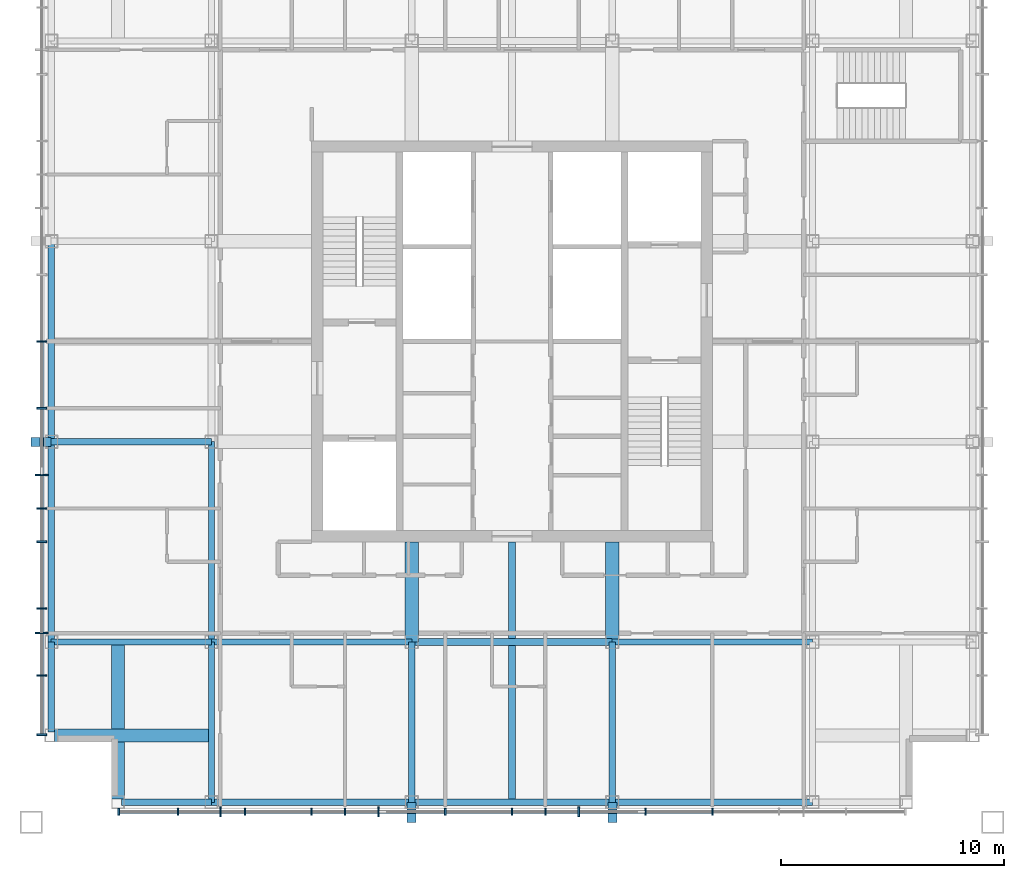
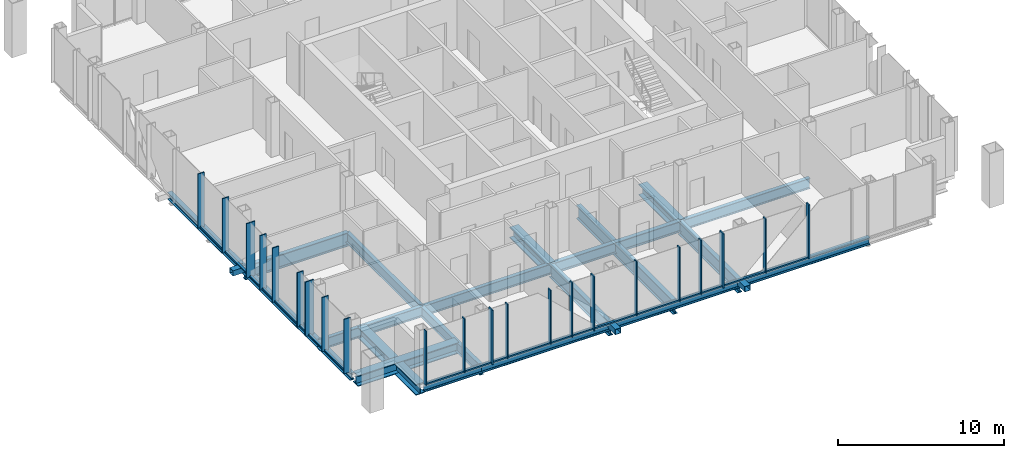
# One storey, part 2 of 13: 45 members, 21 beams, 2 elements without a shape of their own.
"""IFC4 building model written with IfcOpenShell, lengths in metres."""

from ifc_helpers import new_model, si_unit, direction, frame, origin, origin_2d, place, context, subcontext, project, spatial, rectangle, hollow_rectangle, i_section, extrude, material, layer, layer_set, material_profile, profile_set, type_object, element, aggregate, save


model = new_model("IFC4")

# Units and contexts
model_context = context("Model", 3, precision=1e-05, world=origin(), true_north=direction((0.0, 1.0)))
body_context = subcontext(model_context, "Body", "Model", "MODEL_VIEW")
ifc_project = project(units=[si_unit("LENGTHUNIT", "METRE"), si_unit("AREAUNIT", "SQUARE_METRE"), si_unit("VOLUMEUNIT", "CUBIC_METRE"), si_unit("PLANEANGLEUNIT", "RADIAN"), si_unit("MASSUNIT", "GRAM", prefix="KILO")], contexts=[model_context])

# Site, building, storey
site_placement = place(None, origin())
site = spatial("IfcSite", under=ifc_project, at=site_placement, CompositionType="ELEMENT")
building_placement = place(site_placement, origin())
building = spatial("IfcBuilding", under=site, at=building_placement, Name="Malebo Sky Hospital", CompositionType="ELEMENT")
storey_placement = place(building_placement, frame((0.0, 0.0, 274.0)))
storey = spatial("IfcBuildingStorey", under=building, at=storey_placement, Name="L66", CompositionType="ELEMENT", Elevation=274.0)

# Curtain wall, members
ifc_material_1 = material(Name="Anodised aluminium, natural silver", Category="aluminium")
ifc_layer_1 = layer(ifc_material_1, 0.25)
ifc_layer_set_1 = layer_set([ifc_layer_1], Name="WARD CURTAIN WALL EAST AND WEST")
curtain_wall_type_1 = type_object("IfcCurtainWallType", Name="WARD CURTAIN WALL EAST AND WEST", PredefinedType="NOTDEFINED", material=ifc_layer_set_1)
curtain_wall_1_placement = place(storey_placement, origin())
curtain_wall_1 = element("IfcCurtainWall", 1, at=curtain_wall_1_placement, inside=storey, type_object=curtain_wall_type_1, Name="EW curtain wall W", PredefinedType="NOTDEFINED")
ifc_material_profile_1 = material_profile(ifc_material_1, rectangle(XDim=0.14990234375, YDim=0.10009765625, at=origin_2d()), Name="ALUMINIUM TRANSOM 150x100")
ifc_profile_set_1 = profile_set([ifc_material_profile_1], Name="Anodised aluminium, natural silver")
member_type_1 = type_object("IfcMemberType", Name="ALUMINIUM TRANSOM 150x100", PredefinedType="USERDEFINED", material=ifc_profile_set_1)
member_1_placement = place(storey_placement, frame((38.875, 44.375, 0.050048828125), z_axis=(0.0, 1.0, 0.0), x_axis=(-1.0, 0.0, 0.0)))
member_1 = element("IfcMember", 2, at=member_1_placement, type_object=member_type_1, Name="Transom 1", ObjectType="TRANSOM", PredefinedType="USERDEFINED", context=body_context, shape_type="SweptSolid", body=[
    extrude(rectangle(XDim=0.14990234375, YDim=0.10009765625, at=origin_2d()), origin(), (0.0, 0.0, 1.0), 2.58740234375),
])
member_2_placement = place(storey_placement, frame((38.875, 47.03759765625, 0.050048828125), z_axis=(0.0, 1.0, 0.0), x_axis=(-1.0, 0.0, 0.0)))
member_2 = element("IfcMember", 3, at=member_2_placement, type_object=member_type_1, Name="Transom 2", ObjectType="TRANSOM", PredefinedType="USERDEFINED", context=body_context, shape_type="SweptSolid", body=[
    extrude(rectangle(XDim=0.14990234375, YDim=0.10009765625, at=origin_2d()), origin(), (0.0, 0.0, 1.0), 1.824951171875),
])
member_3_placement = place(storey_placement, frame((38.875, 48.9375, 0.050048828125), z_axis=(0.0, 1.0, 0.0), x_axis=(-1.0, 0.0, 0.0)))
member_3 = element("IfcMember", 4, at=member_3_placement, type_object=member_type_1, Name="Transom 3", ObjectType="TRANSOM", PredefinedType="USERDEFINED", context=body_context, shape_type="SweptSolid", body=[
    extrude(rectangle(XDim=0.14990234375, YDim=0.10009765625, at=origin_2d()), origin(), (0.0, 0.0, 1.0), 1.02490234375),
])
member_4_placement = place(storey_placement, frame((38.875, 50.03759765625, 0.050048828125), z_axis=(0.0, 1.0, 0.0), x_axis=(-1.0, 0.0, 0.0)))
member_4 = element("IfcMember", 5, at=member_4_placement, type_object=member_type_1, Name="Transom 4", ObjectType="TRANSOM", PredefinedType="USERDEFINED", context=body_context, shape_type="SweptSolid", body=[
    extrude(rectangle(XDim=0.14990234375, YDim=0.10009765625, at=origin_2d()), origin(), (0.0, 0.0, 1.0), 2.9248046875),
])
member_5_placement = place(storey_placement, frame((38.875, 53.03759765625, 0.050048828125), z_axis=(0.0, 1.0, 0.0), x_axis=(-1.0, 0.0, 0.0)))
member_5 = element("IfcMember", 6, at=member_5_placement, type_object=member_type_1, Name="Transom 5", ObjectType="TRANSOM", PredefinedType="USERDEFINED", context=body_context, shape_type="SweptSolid", body=[
    extrude(rectangle(XDim=0.14990234375, YDim=0.10009765625, at=origin_2d()), origin(), (0.0, 0.0, 1.0), 1.4248046875),
])
member_6_placement = place(storey_placement, frame((38.875, 54.53759765625, 0.050048828125), z_axis=(0.0, 1.0, 0.0), x_axis=(-1.0, 0.0, 0.0)))
member_6 = element("IfcMember", 7, at=member_6_placement, type_object=member_type_1, Name="Transom 6", ObjectType="TRANSOM", PredefinedType="USERDEFINED", context=body_context, shape_type="SweptSolid", body=[
    extrude(rectangle(XDim=0.14990234375, YDim=0.10009765625, at=origin_2d()), origin(), (0.0, 0.0, 1.0), 1.4248046875),
])
member_7_placement = place(storey_placement, frame((38.875, 56.03759765625, 0.050048828125), z_axis=(0.0, 1.0, 0.0), x_axis=(-1.0, 0.0, 0.0)))
member_7 = element("IfcMember", 8, at=member_7_placement, type_object=member_type_1, Name="Transom 7", ObjectType="TRANSOM", PredefinedType="USERDEFINED", context=body_context, shape_type="SweptSolid", body=[
    extrude(rectangle(XDim=0.14990234375, YDim=0.10009765625, at=origin_2d()), origin(), (0.0, 0.0, 1.0), 2.9248046875),
])
member_8_placement = place(storey_placement, frame((38.875, 59.03759765625, 0.050048828125), z_axis=(0.0, 1.0, 0.0), x_axis=(-1.0, 0.0, 0.0)))
member_8 = element("IfcMember", 9, at=member_8_placement, type_object=member_type_1, Name="Transom 8", ObjectType="TRANSOM", PredefinedType="USERDEFINED", context=body_context, shape_type="SweptSolid", body=[
    extrude(rectangle(XDim=0.14990234375, YDim=0.10009765625, at=origin_2d()), origin(), (0.0, 0.0, 1.0), 2.9248046875),
])

ifc_layer_2 = layer(ifc_material_1, 0.25)
ifc_layer_set_2 = layer_set([ifc_layer_2], Name="WARD CURTAIN WALL NORTH AND SOUTH")
curtain_wall_type_2 = type_object("IfcCurtainWallType", Name="WARD CURTAIN WALL NORTH AND SOUTH", PredefinedType="NOTDEFINED", material=ifc_layer_set_2)
curtain_wall_2_placement = place(storey_placement, origin())
curtain_wall_2 = element("IfcCurtainWall", 10, at=curtain_wall_2_placement, inside=storey, type_object=curtain_wall_type_2, Name="NS curtain wall S", PredefinedType="NOTDEFINED")
member_9_placement = place(storey_placement, frame((68.96240234375, 40.875, 0.050048828125), z_axis=(-1.0, 0.0, 0.0), x_axis=(0.0, -1.0, 0.0)))
member_9 = element("IfcMember", 11, at=member_9_placement, type_object=member_type_1, Name="Transom 5", ObjectType="TRANSOM", PredefinedType="USERDEFINED", context=body_context, shape_type="SweptSolid", body=[
    extrude(rectangle(XDim=0.14990234375, YDim=0.10009765625, at=origin_2d()), origin(), (0.0, 0.0, 1.0), 2.9248046875),
])
member_10_placement = place(storey_placement, frame((65.96240234375, 40.875, 0.050048828125), z_axis=(-1.0, 0.0, 0.0), x_axis=(0.0, -1.0, 0.0)))
member_10 = element("IfcMember", 12, at=member_10_placement, type_object=member_type_1, Name="Transom 6", ObjectType="TRANSOM", PredefinedType="USERDEFINED", context=body_context, shape_type="SweptSolid", body=[
    extrude(rectangle(XDim=0.14990234375, YDim=0.10009765625, at=origin_2d()), origin(), (0.0, 0.0, 1.0), 2.9248046875),
])
member_11_placement = place(storey_placement, frame((62.96240234375, 40.875, 0.050048828125), z_axis=(-1.0, 0.0, 0.0), x_axis=(0.0, -1.0, 0.0)))
member_11 = element("IfcMember", 13, at=member_11_placement, type_object=member_type_1, Name="Transom 7", ObjectType="TRANSOM", PredefinedType="USERDEFINED", context=body_context, shape_type="SweptSolid", body=[
    extrude(rectangle(XDim=0.14990234375, YDim=0.10009765625, at=origin_2d()), origin(), (0.0, 0.0, 1.0), 1.4248046875),
])
member_12_placement = place(storey_placement, frame((61.46240234375, 40.875, 0.050048828125), z_axis=(-1.0, 0.0, 0.0), x_axis=(0.0, -1.0, 0.0)))
member_12 = element("IfcMember", 14, at=member_12_placement, type_object=member_type_1, Name="Transom 8", ObjectType="TRANSOM", PredefinedType="USERDEFINED", context=body_context, shape_type="SweptSolid", body=[
    extrude(rectangle(XDim=0.14990234375, YDim=0.10009765625, at=origin_2d()), origin(), (0.0, 0.0, 1.0), 1.4248046875),
])
member_13_placement = place(storey_placement, frame((59.96240234375, 40.875, 0.050048828125), z_axis=(-1.0, 0.0, 0.0), x_axis=(0.0, -1.0, 0.0)))
member_13 = element("IfcMember", 15, at=member_13_placement, type_object=member_type_1, Name="Transom 9", ObjectType="TRANSOM", PredefinedType="USERDEFINED", context=body_context, shape_type="SweptSolid", body=[
    extrude(rectangle(XDim=0.14990234375, YDim=0.10009765625, at=origin_2d()), origin(), (0.0, 0.0, 1.0), 2.9248046875),
])
member_14_placement = place(storey_placement, frame((56.96240234375, 40.875, 0.050048828125), z_axis=(-1.0, 0.0, 0.0), x_axis=(0.0, -1.0, 0.0)))
member_14 = element("IfcMember", 16, at=member_14_placement, type_object=member_type_1, Name="Transom 10", ObjectType="TRANSOM", PredefinedType="USERDEFINED", context=body_context, shape_type="SweptSolid", body=[
    extrude(rectangle(XDim=0.14990234375, YDim=0.10009765625, at=origin_2d()), origin(), (0.0, 0.0, 1.0), 2.9248046875),
])
member_15_placement = place(storey_placement, frame((53.96240234375, 40.875, 0.050048828125), z_axis=(-1.0, 0.0, 0.0), x_axis=(0.0, -1.0, 0.0)))
member_15 = element("IfcMember", 17, at=member_15_placement, type_object=member_type_1, Name="Transom 11", ObjectType="TRANSOM", PredefinedType="USERDEFINED", context=body_context, shape_type="SweptSolid", body=[
    extrude(rectangle(XDim=0.14990234375, YDim=0.10009765625, at=origin_2d()), origin(), (0.0, 0.0, 1.0), 1.4248046875),
])
member_16_placement = place(storey_placement, frame((52.46240234375, 40.875, 0.050048828125), z_axis=(-1.0, 0.0, 0.0), x_axis=(0.0, -1.0, 0.0)))
member_16 = element("IfcMember", 18, at=member_16_placement, type_object=member_type_1, Name="Transom 12", ObjectType="TRANSOM", PredefinedType="USERDEFINED", context=body_context, shape_type="SweptSolid", body=[
    extrude(rectangle(XDim=0.14990234375, YDim=0.10009765625, at=origin_2d()), origin(), (0.0, 0.0, 1.0), 1.4248046875),
])
member_17_placement = place(storey_placement, frame((50.96240234375, 40.875, 0.050048828125), z_axis=(-1.0, 0.0, 0.0), x_axis=(0.0, -1.0, 0.0)))
member_17 = element("IfcMember", 19, at=member_17_placement, type_object=member_type_1, Name="Transom 13", ObjectType="TRANSOM", PredefinedType="USERDEFINED", context=body_context, shape_type="SweptSolid", body=[
    extrude(rectangle(XDim=0.14990234375, YDim=0.10009765625, at=origin_2d()), origin(), (0.0, 0.0, 1.0), 2.9248046875),
])
member_18_placement = place(storey_placement, frame((47.96240234375, 40.875, 0.050048828125), z_axis=(-1.0, 0.0, 0.0), x_axis=(0.0, -1.0, 0.0)))
member_18 = element("IfcMember", 20, at=member_18_placement, type_object=member_type_1, Name="Transom 14", ObjectType="TRANSOM", PredefinedType="USERDEFINED", context=body_context, shape_type="SweptSolid", body=[
    extrude(rectangle(XDim=0.14990234375, YDim=0.10009765625, at=origin_2d()), origin(), (0.0, 0.0, 1.0), 1.02490234375),
])
member_19_placement = place(storey_placement, frame((46.862548828125, 40.875, 0.050048828125), z_axis=(-1.0, 0.0, 0.0), x_axis=(0.0, -1.0, 0.0)))
member_19 = element("IfcMember", 21, at=member_19_placement, type_object=member_type_1, Name="Transom 15", ObjectType="TRANSOM", PredefinedType="USERDEFINED", context=body_context, shape_type="SweptSolid", body=[
    extrude(rectangle(XDim=0.14990234375, YDim=0.10009765625, at=origin_2d()), origin(), (0.0, 0.0, 1.0), 1.824951171875),
])
member_20_placement = place(storey_placement, frame((44.96240234375, 40.875, 0.050048828125), z_axis=(-1.0, 0.0, 0.0), x_axis=(0.0, -1.0, 0.0)))
member_20 = element("IfcMember", 22, at=member_20_placement, type_object=member_type_1, Name="Transom 16", ObjectType="TRANSOM", PredefinedType="USERDEFINED", context=body_context, shape_type="SweptSolid", body=[
    extrude(rectangle(XDim=0.14990234375, YDim=0.10009765625, at=origin_2d()), origin(), (0.0, 0.0, 1.0), 2.58740234375),
])

# Members
ifc_material_2 = material(Name="Steel S355", Category="steel")
ifc_material_profile_2 = material_profile(ifc_material_2, hollow_rectangle(XDim=0.39990234375, YDim=0.39990234375, WallThickness=0.02001953125, at=origin_2d()), Name="SHS 400x20")
ifc_profile_set_2 = profile_set([ifc_material_profile_2], Name="Steel S355")
member_type_2 = type_object("IfcMemberType", Name="BRACE STRUT SHS 400x20", PredefinedType="STRUT", material=ifc_profile_set_2)
for number, where, z_axis, x_axis, name in (
    (23, (64.51220703125, 40.39990234375, -0.39990234375), (0.0, 1.0, 0.0), (-1.0, 0.0, 0.0), "Brace strut DS1 L66"),
    (24, (55.48779296875, 40.39990234375, -0.39990234375), (0.0, 1.0, 0.0), (-1.0, 0.0, 0.0), "Brace strut DS2 L66"),
    (25, (38.39990234375, 57.48779296875, -0.39990234375), (1.0, 0.0, 0.0), (0.0, 1.0, 0.0), "Brace strut DW1 L66"),
):
    element("IfcMember", number, at=place(storey_placement, frame(where, z_axis=z_axis, x_axis=x_axis)), inside=storey, type_object=member_type_2, Name=name, PredefinedType="STRUT", context=body_context, shape_type="SweptSolid", body=[
        extrude(hollow_rectangle(XDim=0.39990234375, YDim=0.39990234375, WallThickness=0.02001953125, at=origin_2d()), origin(), (0.0, 0.0, 1.0), 0.900146484375),
    ])

# Member
ifc_material_profile_3 = material_profile(ifc_material_1, rectangle(XDim=0.074951171875, YDim=0.300048828125, at=origin_2d()), Name="CW1 ALUMINIUM FIN MULLION 75x300")
ifc_profile_set_3 = profile_set([ifc_material_profile_3], Name="Anodised aluminium, natural silver")
member_type_3 = type_object("IfcMemberType", Name="CW1 ALUMINIUM FIN MULLION 75x300", PredefinedType="MULLION", material=ifc_profile_set_3)
member_21_placement = place(storey_placement, frame((69.0, 40.875, 0.0), z_axis=(0.0, 0.0, 1.0), x_axis=(-1.0, 0.0, 0.0)))
member_21 = element("IfcMember", 26, at=member_21_placement, type_object=member_type_3, Name="Fin mullion 5", PredefinedType="MULLION", context=body_context, shape_type="SweptSolid", body=[
    extrude(rectangle(XDim=0.074951171875, YDim=0.300048828125, at=origin_2d()), origin(), (0.0, 0.0, 1.0), 4.0),
])

member_22_placement = place(storey_placement, frame((66.0, 40.875, 0.0), z_axis=(0.0, 0.0, 1.0), x_axis=(-1.0, 0.0, 0.0)))
member_22 = element("IfcMember", 27, at=member_22_placement, type_object=member_type_3, Name="Fin mullion 6", PredefinedType="MULLION", context=body_context, shape_type="SweptSolid", body=[
    extrude(rectangle(XDim=0.074951171875, YDim=0.300048828125, at=origin_2d()), origin(), (0.0, 0.0, 1.0), 4.0),
])

member_23_placement = place(storey_placement, frame((61.5, 40.875, 0.0), z_axis=(0.0, 0.0, 1.0), x_axis=(-1.0, 0.0, 0.0)))
member_23 = element("IfcMember", 28, at=member_23_placement, type_object=member_type_3, Name="Fin mullion 8", PredefinedType="MULLION", context=body_context, shape_type="SweptSolid", body=[
    extrude(rectangle(XDim=0.074951171875, YDim=0.300048828125, at=origin_2d()), origin(), (0.0, 0.0, 1.0), 4.0),
])

member_24_placement = place(storey_placement, frame((60.0, 40.875, 0.0), z_axis=(0.0, 0.0, 1.0), x_axis=(-1.0, 0.0, 0.0)))
member_24 = element("IfcMember", 29, at=member_24_placement, type_object=member_type_3, Name="Fin mullion 9", PredefinedType="MULLION", context=body_context, shape_type="SweptSolid", body=[
    extrude(rectangle(XDim=0.074951171875, YDim=0.300048828125, at=origin_2d()), origin(), (0.0, 0.0, 1.0), 4.0),
])

member_25_placement = place(storey_placement, frame((57.0, 40.875, 0.0), z_axis=(0.0, 0.0, 1.0), x_axis=(-1.0, 0.0, 0.0)))
member_25 = element("IfcMember", 30, at=member_25_placement, type_object=member_type_3, Name="Fin mullion 10", PredefinedType="MULLION", context=body_context, shape_type="SweptSolid", body=[
    extrude(rectangle(XDim=0.074951171875, YDim=0.300048828125, at=origin_2d()), origin(), (0.0, 0.0, 1.0), 4.0),
])

member_26_placement = place(storey_placement, frame((52.5, 40.875, 0.0), z_axis=(0.0, 0.0, 1.0), x_axis=(-1.0, 0.0, 0.0)))
member_26 = element("IfcMember", 31, at=member_26_placement, type_object=member_type_3, Name="Fin mullion 12", PredefinedType="MULLION", context=body_context, shape_type="SweptSolid", body=[
    extrude(rectangle(XDim=0.074951171875, YDim=0.300048828125, at=origin_2d()), origin(), (0.0, 0.0, 1.0), 4.0),
])

member_27_placement = place(storey_placement, frame((51.0, 40.875, 0.0), z_axis=(0.0, 0.0, 1.0), x_axis=(-1.0, 0.0, 0.0)))
member_27 = element("IfcMember", 32, at=member_27_placement, type_object=member_type_3, Name="Fin mullion 13", PredefinedType="MULLION", context=body_context, shape_type="SweptSolid", body=[
    extrude(rectangle(XDim=0.074951171875, YDim=0.300048828125, at=origin_2d()), origin(), (0.0, 0.0, 1.0), 4.0),
])

member_28_placement = place(storey_placement, frame((48.0, 40.875, 0.0), z_axis=(0.0, 0.0, 1.0), x_axis=(-1.0, 0.0, 0.0)))
member_28 = element("IfcMember", 33, at=member_28_placement, type_object=member_type_3, Name="Fin mullion 14", PredefinedType="MULLION", context=body_context, shape_type="SweptSolid", body=[
    extrude(rectangle(XDim=0.074951171875, YDim=0.300048828125, at=origin_2d()), origin(), (0.0, 0.0, 1.0), 4.0),
])

member_29_placement = place(storey_placement, frame((45.0, 40.875, 0.0), z_axis=(0.0, 0.0, 1.0), x_axis=(-1.0, 0.0, 0.0)))
member_29 = element("IfcMember", 34, at=member_29_placement, type_object=member_type_3, Name="Fin mullion 16", PredefinedType="MULLION", context=body_context, shape_type="SweptSolid", body=[
    extrude(rectangle(XDim=0.074951171875, YDim=0.300048828125, at=origin_2d()), origin(), (0.0, 0.0, 1.0), 4.0),
])

member_30_placement = place(storey_placement, frame((42.33740234375, 40.875, 0.0), z_axis=(0.0, 0.0, 1.0), x_axis=(-1.0, 0.0, 0.0)))
member_30 = element("IfcMember", 35, at=member_30_placement, type_object=member_type_3, Name="Fin mullion 17", PredefinedType="MULLION", context=body_context, shape_type="SweptSolid", body=[
    extrude(rectangle(XDim=0.074951171875, YDim=0.300048828125, at=origin_2d()), origin(), (0.0, 0.0, 1.0), 4.0),
])

ifc_material_profile_4 = material_profile(ifc_material_1, rectangle(XDim=0.074951171875, YDim=0.449951171875, at=origin_2d()), Name="CW1 ALUMINIUM FIN MULLION 75x450")
ifc_profile_set_4 = profile_set([ifc_material_profile_4], Name="Anodised aluminium, natural silver")
member_type_4 = type_object("IfcMemberType", Name="CW1 ALUMINIUM FIN MULLION 75x450", PredefinedType="MULLION", material=ifc_profile_set_4)
member_31_placement = place(storey_placement, frame((63.0, 40.875, 0.0), z_axis=(0.0, 0.0, 1.0), x_axis=(-1.0, 0.0, 0.0)))
member_31 = element("IfcMember", 36, at=member_31_placement, type_object=member_type_4, Name="Fin mullion 7", PredefinedType="MULLION", context=body_context, shape_type="SweptSolid", body=[
    extrude(rectangle(XDim=0.074951171875, YDim=0.449951171875, at=origin_2d()), origin(), (0.0, 0.0, 1.0), 4.0),
])

member_32_placement = place(storey_placement, frame((54.0, 40.875, 0.0), z_axis=(0.0, 0.0, 1.0), x_axis=(-1.0, 0.0, 0.0)))
member_32 = element("IfcMember", 37, at=member_32_placement, type_object=member_type_4, Name="Fin mullion 11", PredefinedType="MULLION", context=body_context, shape_type="SweptSolid", body=[
    extrude(rectangle(XDim=0.074951171875, YDim=0.449951171875, at=origin_2d()), origin(), (0.0, 0.0, 1.0), 4.0),
])

member_33_placement = place(storey_placement, frame((46.89990234375, 40.875, 0.0), z_axis=(0.0, 0.0, 1.0), x_axis=(-1.0, 0.0, 0.0)))
member_33 = element("IfcMember", 38, at=member_33_placement, type_object=member_type_4, Name="Fin mullion 15", PredefinedType="MULLION", context=body_context, shape_type="SweptSolid", body=[
    extrude(rectangle(XDim=0.074951171875, YDim=0.449951171875, at=origin_2d()), origin(), (0.0, 0.0, 1.0), 4.0),
])

aggregate(curtain_wall_2, [member_21, member_22, member_31, member_23, member_24, member_25, member_32, member_26, member_27, member_28, member_33, member_29, member_30, member_9, member_10, member_11, member_12, member_13, member_14, member_15, member_16, member_17, member_18, member_19, member_20])

ifc_material_profile_5 = material_profile(ifc_material_1, rectangle(XDim=0.074951171875, YDim=0.449951171875, at=origin_2d()), Name="CW2 ALUMINIUM FIN MULLION 75x450")
ifc_profile_set_5 = profile_set([ifc_material_profile_5], Name="Anodised aluminium, natural silver")
member_type_5 = type_object("IfcMemberType", Name="CW2 ALUMINIUM FIN MULLION 75x450", PredefinedType="MULLION", material=ifc_profile_set_5)
member_34_placement = place(storey_placement, frame((38.875, 44.33740234375, 0.0), z_axis=(0.0, 0.0, 1.0), x_axis=(0.0, 1.0, 0.0)))
member_34 = element("IfcMember", 39, at=member_34_placement, type_object=member_type_5, Name="Fin mullion 1", PredefinedType="MULLION", context=body_context, shape_type="SweptSolid", body=[
    extrude(rectangle(XDim=0.074951171875, YDim=0.449951171875, at=origin_2d()), origin(), (0.0, 0.0, 1.0), 4.0),
])

member_35_placement = place(storey_placement, frame((38.875, 47.0, 0.0), z_axis=(0.0, 0.0, 1.0), x_axis=(0.0, 1.0, 0.0)))
member_35 = element("IfcMember", 40, at=member_35_placement, type_object=member_type_5, Name="Fin mullion 2", PredefinedType="MULLION", context=body_context, shape_type="SweptSolid", body=[
    extrude(rectangle(XDim=0.074951171875, YDim=0.449951171875, at=origin_2d()), origin(), (0.0, 0.0, 1.0), 4.0),
])

member_36_placement = place(storey_placement, frame((38.875, 50.0, 0.0), z_axis=(0.0, 0.0, 1.0), x_axis=(0.0, 1.0, 0.0)))
member_36 = element("IfcMember", 41, at=member_36_placement, type_object=member_type_5, Name="Fin mullion 4", PredefinedType="MULLION", context=body_context, shape_type="SweptSolid", body=[
    extrude(rectangle(XDim=0.074951171875, YDim=0.449951171875, at=origin_2d()), origin(), (0.0, 0.0, 1.0), 4.0),
])

member_37_placement = place(storey_placement, frame((38.875, 53.0, 0.0), z_axis=(0.0, 0.0, 1.0), x_axis=(0.0, 1.0, 0.0)))
member_37 = element("IfcMember", 42, at=member_37_placement, type_object=member_type_5, Name="Fin mullion 5", PredefinedType="MULLION", context=body_context, shape_type="SweptSolid", body=[
    extrude(rectangle(XDim=0.074951171875, YDim=0.449951171875, at=origin_2d()), origin(), (0.0, 0.0, 1.0), 4.0),
])

member_38_placement = place(storey_placement, frame((38.875, 54.5, 0.0), z_axis=(0.0, 0.0, 1.0), x_axis=(0.0, 1.0, 0.0)))
member_38 = element("IfcMember", 43, at=member_38_placement, type_object=member_type_5, Name="Fin mullion 6", PredefinedType="MULLION", context=body_context, shape_type="SweptSolid", body=[
    extrude(rectangle(XDim=0.074951171875, YDim=0.449951171875, at=origin_2d()), origin(), (0.0, 0.0, 1.0), 4.0),
])

member_39_placement = place(storey_placement, frame((38.875, 59.0, 0.0), z_axis=(0.0, 0.0, 1.0), x_axis=(0.0, 1.0, 0.0)))
member_39 = element("IfcMember", 44, at=member_39_placement, type_object=member_type_5, Name="Fin mullion 8", PredefinedType="MULLION", context=body_context, shape_type="SweptSolid", body=[
    extrude(rectangle(XDim=0.074951171875, YDim=0.449951171875, at=origin_2d()), origin(), (0.0, 0.0, 1.0), 4.0),
])

member_40_placement = place(storey_placement, frame((38.875, 62.0, 0.0), z_axis=(0.0, 0.0, 1.0), x_axis=(0.0, 1.0, 0.0)))
member_40 = element("IfcMember", 45, at=member_40_placement, type_object=member_type_5, Name="Fin mullion 9", PredefinedType="MULLION", context=body_context, shape_type="SweptSolid", body=[
    extrude(rectangle(XDim=0.074951171875, YDim=0.449951171875, at=origin_2d()), origin(), (0.0, 0.0, 1.0), 4.0),
])

ifc_material_profile_6 = material_profile(ifc_material_1, rectangle(XDim=0.074951171875, YDim=0.60009765625, at=origin_2d()), Name="CW2 ALUMINIUM FIN MULLION 75x600")
ifc_profile_set_6 = profile_set([ifc_material_profile_6], Name="Anodised aluminium, natural silver")
member_type_6 = type_object("IfcMemberType", Name="CW2 ALUMINIUM FIN MULLION 75x600", PredefinedType="MULLION", material=ifc_profile_set_6)
member_41_placement = place(storey_placement, frame((38.875, 48.89990234375, 0.0), z_axis=(0.0, 0.0, 1.0), x_axis=(0.0, 1.0, 0.0)))
member_41 = element("IfcMember", 46, at=member_41_placement, type_object=member_type_6, Name="Fin mullion 3", PredefinedType="MULLION", context=body_context, shape_type="SweptSolid", body=[
    extrude(rectangle(XDim=0.074951171875, YDim=0.60009765625, at=origin_2d()), origin(), (0.0, 0.0, 1.0), 4.0),
])

member_42_placement = place(storey_placement, frame((38.875, 56.0, 0.0), z_axis=(0.0, 0.0, 1.0), x_axis=(0.0, 1.0, 0.0)))
member_42 = element("IfcMember", 47, at=member_42_placement, type_object=member_type_6, Name="Fin mullion 7", PredefinedType="MULLION", context=body_context, shape_type="SweptSolid", body=[
    extrude(rectangle(XDim=0.074951171875, YDim=0.60009765625, at=origin_2d()), origin(), (0.0, 0.0, 1.0), 4.0),
])

aggregate(curtain_wall_1, [member_34, member_35, member_41, member_36, member_37, member_38, member_42, member_39, member_40, member_1, member_2, member_3, member_4, member_5, member_6, member_7, member_8])

# Beams
ifc_material_profile_7 = material_profile(ifc_material_2, i_section(OverallWidth=0.305908203125, OverallDepth=0.52392578125, WebThickness=0.02099609375, FlangeThickness=0.0400390625, FilletRadius=0.027099609375, at=origin_2d()), Name="HEM 500")
ifc_profile_set_7 = profile_set([ifc_material_profile_7], Name="Steel S355")
beam_type_1 = type_object("IfcBeamType", Name="EDGE BEAM HEM 500", PredefinedType="BEAM", material=ifc_profile_set_7)
beam_1_placement = place(storey_placement, frame((39.300048828125, 44.449951171875, -0.511962890625), z_axis=(0.0, 1.0, 0.0), x_axis=(-1.0, 0.0, 0.0)))
element("IfcBeam", 48, at=beam_1_placement, inside=storey, type_object=beam_type_1, Name="Beam 000 L66", PredefinedType="BEAM", context=body_context, shape_type="SweptSolid", body=[
    extrude(i_section(OverallWidth=0.305908203125, OverallDepth=0.52392578125, WebThickness=0.02099609375, FlangeThickness=0.0400390625, FilletRadius=0.027099609375, at=origin_2d()), origin(), (0.0, 0.0, 1.0), 4.050048828125),
])
for number, where, z_axis, x_axis, name in (
    (49, (39.300048828125, 48.5, -0.511962890625), (0.0, 1.0, 0.0), (-1.0, 0.0, 0.0), "Beam 001 L66"),
    (50, (39.300048828125, 57.5, -0.511962890625), (0.0, 1.0, 0.0), (-1.0, 0.0, 0.0), "Beam 002 L66"),
):
    element("IfcBeam", number, at=place(storey_placement, frame(where, z_axis=z_axis, x_axis=x_axis)), inside=storey, type_object=beam_type_1, Name=name, PredefinedType="BEAM", context=body_context, shape_type="SweptSolid", body=[
        extrude(i_section(OverallWidth=0.305908203125, OverallDepth=0.52392578125, WebThickness=0.02099609375, FlangeThickness=0.0400390625, FilletRadius=0.027099609375, at=origin_2d()), origin(), (0.0, 0.0, 1.0), 9.0),
    ])
beam_2_placement = place(storey_placement, frame((42.449951171875, 41.300048828125, -0.511962890625), z_axis=(1.0, 0.0, 0.0), x_axis=(0.0, 1.0, 0.0)))
element("IfcBeam", 51, at=beam_2_placement, inside=storey, type_object=beam_type_1, Name="Beam 034 L66", PredefinedType="BEAM", context=body_context, shape_type="SweptSolid", body=[
    extrude(i_section(OverallWidth=0.305908203125, OverallDepth=0.52392578125, WebThickness=0.02099609375, FlangeThickness=0.0400390625, FilletRadius=0.027099609375, at=origin_2d()), origin(), (0.0, 0.0, 1.0), 4.050048828125),
])
for number, where, z_axis, x_axis, name in (
    (52, (46.5, 41.300048828125, -0.511962890625), (1.0, 0.0, 0.0), (0.0, 1.0, 0.0), "Beam 035 L66"),
    (53, (55.5, 41.300048828125, -0.511962890625), (1.0, 0.0, 0.0), (0.0, 1.0, 0.0), "Beam 036 L66"),
    (54, (64.5, 41.300048828125, -0.511962890625), (1.0, 0.0, 0.0), (0.0, 1.0, 0.0), "Beam 037 L66"),
):
    element("IfcBeam", number, at=place(storey_placement, frame(where, z_axis=z_axis, x_axis=x_axis)), inside=storey, type_object=beam_type_1, Name=name, PredefinedType="BEAM", context=body_context, shape_type="SweptSolid", body=[
        extrude(i_section(OverallWidth=0.305908203125, OverallDepth=0.52392578125, WebThickness=0.02099609375, FlangeThickness=0.0400390625, FilletRadius=0.027099609375, at=origin_2d()), origin(), (0.0, 0.0, 1.0), 9.0),
    ])
ifc_material_profile_8 = material_profile(ifc_material_2, i_section(OverallWidth=0.300048828125, OverallDepth=1.0, WebThickness=0.01904296875, FlangeThickness=0.035888671875, FilletRadius=0.030029296875, at=origin_2d()), Name="HEB 1000")
ifc_profile_set_8 = profile_set([ifc_material_profile_8], Name="Steel S355")
beam_type_2 = type_object("IfcBeamType", Name="FLOOR BEAM HEB 1000", PredefinedType="BEAM", material=ifc_profile_set_8)
beam_3_placement = place(storey_placement, frame((55.5, 41.300048828125, -0.75), z_axis=(0.0, 1.0, 0.0), x_axis=(-1.0, 0.0, 0.0)))
element("IfcBeam", 55, at=beam_3_placement, inside=storey, type_object=beam_type_2, Name="Beam 012 L66", PredefinedType="BEAM", context=body_context, shape_type="SweptSolid", body=[
    extrude(i_section(OverallWidth=0.300048828125, OverallDepth=1.0, WebThickness=0.01904296875, FlangeThickness=0.035888671875, FilletRadius=0.030029296875, at=origin_2d()), origin(), (0.0, 0.0, 1.0), 7.199951171875),
])
beam_4_placement = place(storey_placement, frame((60.0, 41.300048828125, -0.75), z_axis=(0.0, 1.0, 0.0), x_axis=(-1.0, 0.0, 0.0)))
element("IfcBeam", 56, at=beam_4_placement, inside=storey, type_object=beam_type_2, Name="Beam 016 L66", PredefinedType="BEAM", context=body_context, shape_type="SweptSolid", body=[
    extrude(i_section(OverallWidth=0.300048828125, OverallDepth=1.0, WebThickness=0.01904296875, FlangeThickness=0.035888671875, FilletRadius=0.030029296875, at=origin_2d()), origin(), (0.0, 0.0, 1.0), 11.699951171875),
])
for number, where, z_axis, x_axis, name in (
    (57, (64.5, 41.300048828125, -0.75), (0.0, 1.0, 0.0), (-1.0, 0.0, 0.0), "Beam 018 L66"),
    (58, (39.300048828125, 57.5, -0.75), (1.0, 0.0, 0.0), (0.0, 1.0, 0.0), "Beam 046 L66"),
):
    element("IfcBeam", number, at=place(storey_placement, frame(where, z_axis=z_axis, x_axis=x_axis)), inside=storey, type_object=beam_type_2, Name=name, PredefinedType="BEAM", context=body_context, shape_type="SweptSolid", body=[
        extrude(i_section(OverallWidth=0.300048828125, OverallDepth=1.0, WebThickness=0.01904296875, FlangeThickness=0.035888671875, FilletRadius=0.030029296875, at=origin_2d()), origin(), (0.0, 0.0, 1.0), 7.199951171875),
    ])
ifc_material_profile_9 = material_profile(ifc_material_2, i_section(OverallWidth=0.26708984375, OverallDepth=0.761962890625, WebThickness=0.014404296875, FlangeThickness=0.021484375, FilletRadius=0.01708984375, at=origin_2d()), Name="IPE 750x173")
ifc_profile_set_9 = profile_set([ifc_material_profile_9], Name="Steel S355")
beam_type_3 = type_object("IfcBeamType", Name="FLOOR BEAM IPE 750x173", PredefinedType="BEAM", material=ifc_profile_set_9)
for number, where, z_axis, x_axis, name in (
    (59, (46.5, 48.5, -0.631103515625), (0.0, 1.0, 0.0), (-1.0, 0.0, 0.0), "Beam 008 L66"),
    (60, (46.5, 48.5, -0.631103515625), (1.0, 0.0, 0.0), (0.0, 1.0, 0.0), "Beam 042 L66"),
    (61, (64.5, 48.5, -0.631103515625), (1.0, 0.0, 0.0), (0.0, 1.0, 0.0), "Beam 044 L66"),
):
    element("IfcBeam", number, at=place(storey_placement, frame(where, z_axis=z_axis, x_axis=x_axis)), inside=storey, type_object=beam_type_3, Name=name, PredefinedType="BEAM", context=body_context, shape_type="SweptSolid", body=[
        extrude(i_section(OverallWidth=0.26708984375, OverallDepth=0.761962890625, WebThickness=0.014404296875, FlangeThickness=0.021484375, FilletRadius=0.01708984375, at=origin_2d()), origin(), (0.0, 0.0, 1.0), 9.0),
    ])
ifc_material_profile_10 = material_profile(ifc_material_2, i_section(OverallWidth=0.60009765625, OverallDepth=0.800048828125, WebThickness=0.0400390625, FlangeThickness=0.06005859375, at=origin_2d()), Name="PG 800x600x40x60")
ifc_profile_set_10 = profile_set([ifc_material_profile_10], Name="Steel S355")
beam_type_4 = type_object("IfcBeamType", Name="FLOOR BEAM PG 800x600x40x60", PredefinedType="BEAM", material=ifc_profile_set_10)
beam_5_placement = place(storey_placement, frame((42.300048828125, 41.449951171875, -0.64990234375), z_axis=(0.0, 1.0, 0.0), x_axis=(-1.0, 0.0, 0.0)))
element("IfcBeam", 62, at=beam_5_placement, inside=storey, type_object=beam_type_4, Name="Beam 005 L66", PredefinedType="BEAM", context=body_context, shape_type="SweptSolid", body=[
    extrude(i_section(OverallWidth=0.60009765625, OverallDepth=0.800048828125, WebThickness=0.0400390625, FlangeThickness=0.06005859375, at=origin_2d()), origin(), (0.0, 0.0, 1.0), 7.050048828125),
])
for number, where, z_axis, x_axis, name in (
    (63, (55.5, 48.5, -0.64990234375), (0.0, 1.0, 0.0), (-1.0, 0.0, 0.0), "Beam 013 L66"),
    (64, (64.5, 48.5, -0.64990234375), (0.0, 1.0, 0.0), (-1.0, 0.0, 0.0), "Beam 019 L66"),
):
    element("IfcBeam", number, at=place(storey_placement, frame(where, z_axis=z_axis, x_axis=x_axis)), inside=storey, type_object=beam_type_4, Name=name, PredefinedType="BEAM", context=body_context, shape_type="SweptSolid", body=[
        extrude(i_section(OverallWidth=0.60009765625, OverallDepth=0.800048828125, WebThickness=0.0400390625, FlangeThickness=0.06005859375, at=origin_2d()), origin(), (0.0, 0.0, 1.0), 4.5),
    ])
beam_6_placement = place(storey_placement, frame((39.449951171875, 44.300048828125, -0.64990234375), z_axis=(1.0, 0.0, 0.0), x_axis=(0.0, 1.0, 0.0)))
element("IfcBeam", 65, at=beam_6_placement, inside=storey, type_object=beam_type_4, Name="Beam 039 L66", PredefinedType="BEAM", context=body_context, shape_type="SweptSolid", body=[
    extrude(i_section(OverallWidth=0.60009765625, OverallDepth=0.800048828125, WebThickness=0.0400390625, FlangeThickness=0.06005859375, at=origin_2d()), origin(), (0.0, 0.0, 1.0), 7.050048828125),
])
ifc_material_profile_11 = material_profile(ifc_material_2, i_section(OverallWidth=0.262939453125, OverallDepth=0.7529296875, WebThickness=0.011474609375, FlangeThickness=0.01708984375, FilletRadius=0.01708984375, at=origin_2d()), Name="IPE 750x137")
ifc_profile_set_11 = profile_set([ifc_material_profile_11], Name="Steel S355")
beam_type_5 = type_object("IfcBeamType", Name="FLOOR GIRDER IPE 750x137", PredefinedType="BEAM", material=ifc_profile_set_11)
for number, where, z_axis, x_axis, name in (
    (66, (46.5, 41.300048828125, -0.62646484375), (0.0, 1.0, 0.0), (-1.0, 0.0, 0.0), "Beam 007 L66"),
    (67, (39.300048828125, 48.5, -0.62646484375), (1.0, 0.0, 0.0), (0.0, 1.0, 0.0), "Beam 041 L66"),
):
    element("IfcBeam", number, at=place(storey_placement, frame(where, z_axis=z_axis, x_axis=x_axis)), inside=storey, type_object=beam_type_5, Name=name, PredefinedType="BEAM", context=body_context, shape_type="SweptSolid", body=[
        extrude(i_section(OverallWidth=0.262939453125, OverallDepth=0.7529296875, WebThickness=0.011474609375, FlangeThickness=0.01708984375, FilletRadius=0.01708984375, at=origin_2d()), origin(), (0.0, 0.0, 1.0), 7.199951171875),
    ])
ifc_material_profile_12 = material_profile(ifc_material_2, i_section(OverallWidth=0.300048828125, OverallDepth=0.800048828125, WebThickness=0.017578125, FlangeThickness=0.032958984375, FilletRadius=0.030029296875, at=origin_2d()), Name="HEB 800")
ifc_profile_set_12 = profile_set([ifc_material_profile_12], Name="Steel S355")
beam_type_6 = type_object("IfcBeamType", Name="RING GIRDER HEB 800", PredefinedType="BEAM", material=ifc_profile_set_12)
beam_7_placement = place(storey_placement, frame((55.5, 48.5, -0.64990234375), z_axis=(1.0, 0.0, 0.0), x_axis=(0.0, 1.0, 0.0)))
element("IfcBeam", 68, at=beam_7_placement, inside=storey, type_object=beam_type_6, Name="Beam 043 L66", PredefinedType="BEAM", context=body_context, shape_type="SweptSolid", body=[
    extrude(i_section(OverallWidth=0.300048828125, OverallDepth=0.800048828125, WebThickness=0.017578125, FlangeThickness=0.032958984375, FilletRadius=0.030029296875, at=origin_2d()), origin(), (0.0, 0.0, 1.0), 9.0),
])

save(model, "model.ifc")
